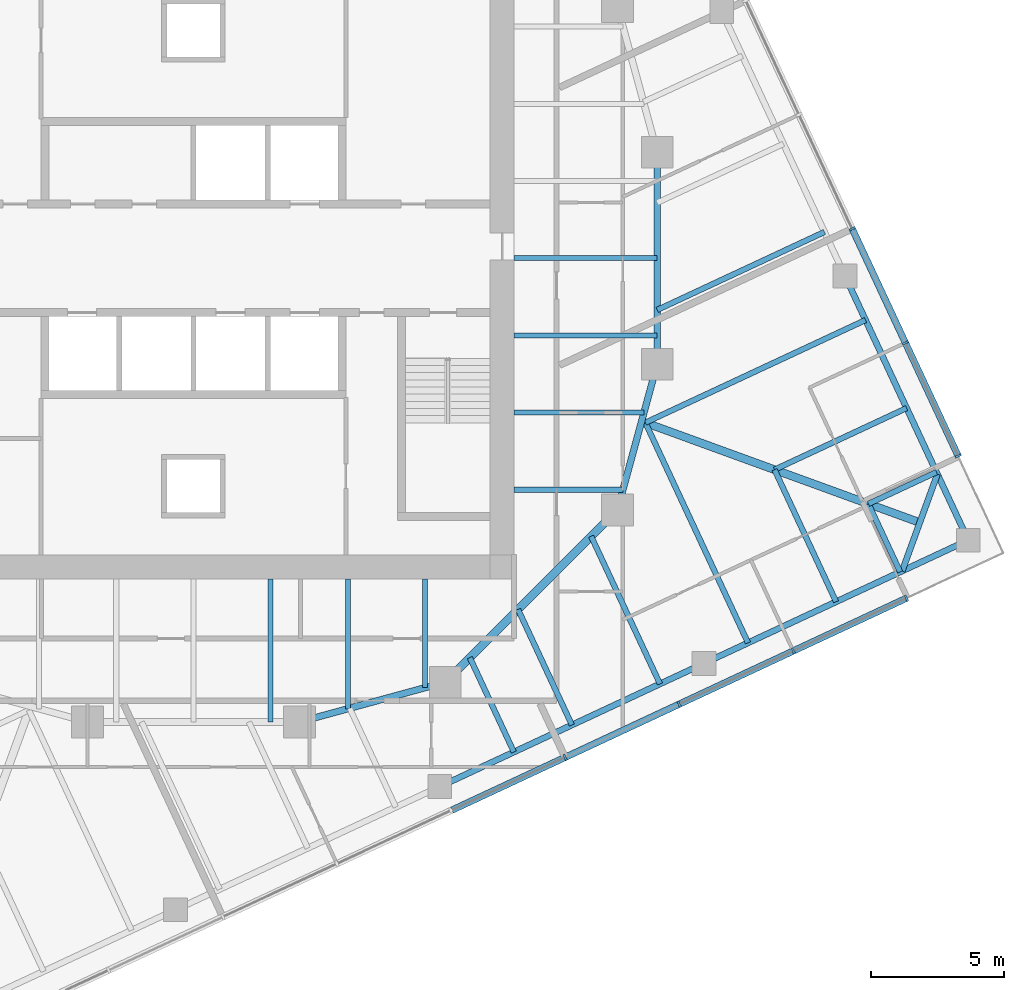
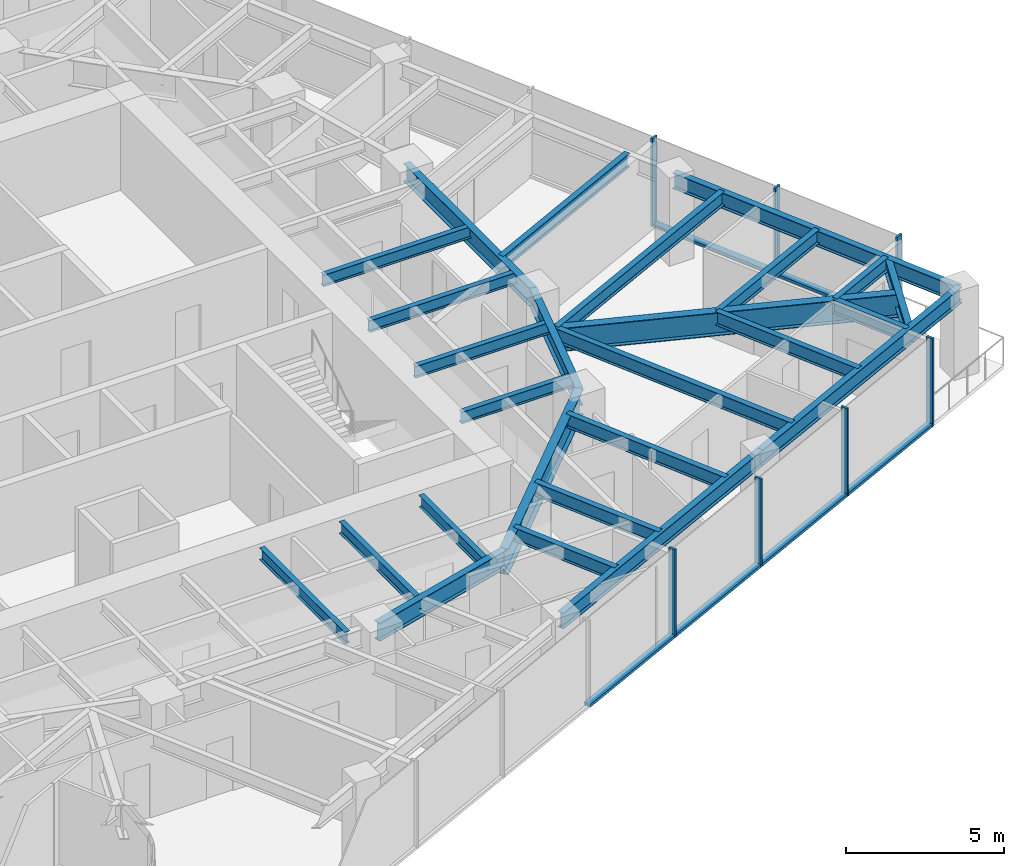
# One storey, part 3 of 12: 26 beams, 13 members, 2 elements without a shape of their own.
"""IFC4 building model written with IfcOpenShell, lengths in metres."""

from ifc_helpers import new_model, si_unit, direction, frame, origin, origin_2d, place, context, subcontext, project, spatial, rectangle, i_section, extrude, material, material_profile, profile_set, type_object, element, aggregate, save


model = new_model("IFC4")

# Units and contexts
model_context = context("Model", 3, precision=1e-05, world=origin(), true_north=direction((0.0, 1.0)))
body_context = subcontext(model_context, "Body", "Model", "MODEL_VIEW")
ifc_project = project(units=[si_unit("LENGTHUNIT", "METRE"), si_unit("AREAUNIT", "SQUARE_METRE"), si_unit("VOLUMEUNIT", "CUBIC_METRE"), si_unit("PLANEANGLEUNIT", "RADIAN"), si_unit("MASSUNIT", "GRAM", prefix="KILO")], contexts=[model_context])

# Site, building, storey
site_placement = place(None, origin())
site = spatial("IfcSite", under=ifc_project, at=site_placement, CompositionType="ELEMENT")
building_placement = place(site_placement, origin())
building = spatial("IfcBuilding", under=site, at=building_placement, Name="Torsade Residences", CompositionType="ELEMENT")
storey_placement = place(building_placement, frame((0.0, 0.0, 186.199951171875)))
storey = spatial("IfcBuildingStorey", under=building, at=storey_placement, Name="L51", CompositionType="ELEMENT", Elevation=186.199951171875)

# Beams
ifc_material_1 = material(Name="Steel grade 300", Category="steel")
ifc_material_profile_1 = material_profile(ifc_material_1, i_section(OverallWidth=0.300048828125, OverallDepth=0.89990234375, WebThickness=0.011962890625, FlangeThickness=0.02490234375, at=origin_2d()), Name="900WB175")
ifc_profile_set_1 = profile_set([ifc_material_profile_1], Name="Steel grade 300")
beam_type_1 = type_object("IfcBeamType", Name="CORNER GIRDER 900WB175", PredefinedType="BEAM", material=ifc_profile_set_1)
beam_1_placement = place(storey_placement, frame((67.4091796875, 20.02392578125, 2.800048828125), z_axis=(-0.93969447651, 0.342015044723, 0.0), x_axis=(-0.342015044723, -0.93969447651, 0.0)))
element("IfcBeam", 1, at=beam_1_placement, inside=storey, type_object=beam_type_1, Name="Corner girder 05 L52", PredefinedType="BEAM", context=body_context, shape_type="SweptSolid", body=[
    extrude(i_section(OverallWidth=0.300048828125, OverallDepth=0.89990234375, WebThickness=0.011962890625, FlangeThickness=0.02490234375, at=origin_2d()), origin(), (0.0, 0.0, 1.0), 11.170654296875),
])
ifc_material_2 = material(Name="Steel grade 300", Category="steel")
ifc_material_profile_2 = material_profile(ifc_material_2, i_section(OverallWidth=0.22802734375, OverallDepth=0.60205078125, WebThickness=0.010498046875, FlangeThickness=0.014892578125, FilletRadius=0.013916015625, at=origin_2d()), Name="610UB101")
ifc_profile_set_2 = profile_set([ifc_material_profile_2], Name="Steel grade 300")
beam_type_2 = type_object("IfcBeamType", Name="CORNER TRIMMER 610UB101", PredefinedType="BEAM", material=ifc_profile_set_2)
beam_2_placement = place(storey_placement, frame((68.07421875, 21.85107421875, 2.948974609375), z_axis=(-0.342005152204, -0.939698076972, 0.0), x_axis=(0.939698076972, -0.342005152204, 0.0)))
element("IfcBeam", 2, at=beam_2_placement, inside=storey, type_object=beam_type_2, Name="Corner trimmer 05 L52", PredefinedType="BEAM", context=body_context, shape_type="SweptSolid", body=[
    extrude(i_section(OverallWidth=0.22802734375, OverallDepth=0.60205078125, WebThickness=0.010498046875, FlangeThickness=0.014892578125, FilletRadius=0.013916015625, at=origin_2d()), origin(), (0.0, 0.0, 1.0), 3.88916015625),
])
ifc_material_3 = material(Name="Steel grade 300", Category="steel")
ifc_material_profile_3 = material_profile(ifc_material_3, i_section(OverallWidth=0.22900390625, OverallDepth=0.612060546875, WebThickness=0.011962890625, FlangeThickness=0.01953125, FilletRadius=0.013916015625, at=origin_2d()), Name="610UB125")
ifc_profile_set_3 = profile_set([ifc_material_profile_3], Name="Steel grade 300")
beam_type_3 = type_object("IfcBeamType", Name="EDGE BEAM 610UB125", PredefinedType="SPANDREL", material=ifc_profile_set_3)
for number, where, z_axis, x_axis, name in (
    (3, (49.297607421875, 10.061279296875, 2.944091796875), (0.906313510001, 0.422605988587, 0.0), (-0.422605988587, 0.906313510001, 0.0), "Edge beam 03 L52"),
    (4, (59.26708984375, 14.7099609375, 2.944091796875), (0.90630104482, 0.422632720171, 0.0), (-0.422632720171, 0.90630104482, 0.0), "Edge beam 04 L52"),
):
    element("IfcBeam", number, at=place(storey_placement, frame(where, z_axis=z_axis, x_axis=x_axis)), inside=storey, type_object=beam_type_3, Name=name, PredefinedType="SPANDREL", context=body_context, shape_type="SweptSolid", body=[
        extrude(i_section(OverallWidth=0.22900390625, OverallDepth=0.612060546875, WebThickness=0.011962890625, FlangeThickness=0.01953125, FilletRadius=0.013916015625, at=origin_2d()), origin(), (0.0, 0.0, 1.0), 11.0),
    ])
beam_3_placement = place(storey_placement, frame((69.236328125, 19.35888671875, 2.944091796875), z_axis=(-0.422614489543, 0.906309546032, 0.0), x_axis=(-0.906309546032, -0.422614489543, 0.0)))
element("IfcBeam", 5, at=beam_3_placement, inside=storey, type_object=beam_type_3, Name="Edge beam 05 L52", PredefinedType="SPANDREL", context=body_context, shape_type="SweptSolid", body=[
    extrude(i_section(OverallWidth=0.22900390625, OverallDepth=0.612060546875, WebThickness=0.011962890625, FlangeThickness=0.01953125, FilletRadius=0.013916015625, at=origin_2d()), origin(), (0.0, 0.0, 1.0), 10.999755859375),
])
ifc_material_4 = material(Name="Steel grade 300", Category="steel")
ifc_material_profile_4 = material_profile(ifc_material_4, i_section(OverallWidth=0.18994140625, OverallDepth=0.4541015625, WebThickness=0.008544921875, FlangeThickness=0.0126953125, FilletRadius=0.011474609375, at=origin_2d()), Name="460UB67.1")
ifc_profile_set_4 = profile_set([ifc_material_profile_4], Name="Steel grade 300")
beam_type_4 = type_object("IfcBeamType", Name="INNER FLOOR BEAM 460UB67.1", PredefinedType="JOIST", material=ifc_profile_set_4)
beam_4_placement = place(storey_placement, frame((48.737548828125, 17.89990234375, 3.02294921875), z_axis=(0.0, -1.0, 0.0), x_axis=(1.0, 0.0, 0.0)))
element("IfcBeam", 6, at=beam_4_placement, inside=storey, type_object=beam_type_4, Name="Inner floor beam IS01 L52", PredefinedType="JOIST", context=body_context, shape_type="SweptSolid", body=[
    extrude(i_section(OverallWidth=0.18994140625, OverallDepth=0.4541015625, WebThickness=0.008544921875, FlangeThickness=0.0126953125, FilletRadius=0.011474609375, at=origin_2d()), origin(), (0.0, 0.0, 1.0), 4.10791015625),
])
beam_5_placement = place(storey_placement, frame((45.824951171875, 17.89990234375, 3.02294921875), z_axis=(0.0, -1.0, 0.0), x_axis=(1.0, 0.0, 0.0)))
element("IfcBeam", 7, at=beam_5_placement, inside=storey, type_object=beam_type_4, Name="Inner floor beam IS02 L52", PredefinedType="JOIST", context=body_context, shape_type="SweptSolid", body=[
    extrude(i_section(OverallWidth=0.18994140625, OverallDepth=0.4541015625, WebThickness=0.008544921875, FlangeThickness=0.0126953125, FilletRadius=0.011474609375, at=origin_2d()), origin(), (0.0, 0.0, 1.0), 4.902099609375),
])
beam_6_placement = place(storey_placement, frame((42.91259765625, 17.89990234375, 3.02294921875), z_axis=(0.0, -1.0, 0.0), x_axis=(1.0, 0.0, 0.0)))
element("IfcBeam", 8, at=beam_6_placement, inside=storey, type_object=beam_type_4, Name="Inner floor beam IS03 L52", PredefinedType="JOIST", context=body_context, shape_type="SweptSolid", body=[
    extrude(i_section(OverallWidth=0.18994140625, OverallDepth=0.4541015625, WebThickness=0.008544921875, FlangeThickness=0.0126953125, FilletRadius=0.011474609375, at=origin_2d()), origin(), (0.0, 0.0, 1.0), 5.39990234375),
])
beam_7_placement = place(storey_placement, frame((52.10009765625, 21.262451171875, 3.02294921875), z_axis=(1.0, 0.0, 0.0), x_axis=(0.0, 1.0, 0.0)))
element("IfcBeam", 9, at=beam_7_placement, inside=storey, type_object=beam_type_4, Name="Inner floor beam IE01 L52", PredefinedType="JOIST", context=body_context, shape_type="SweptSolid", body=[
    extrude(i_section(OverallWidth=0.18994140625, OverallDepth=0.4541015625, WebThickness=0.008544921875, FlangeThickness=0.0126953125, FilletRadius=0.011474609375, at=origin_2d()), origin(), (0.0, 0.0, 1.0), 4.10791015625),
])
beam_8_placement = place(storey_placement, frame((52.10009765625, 24.175048828125, 3.02294921875), z_axis=(1.0, 0.0, 0.0), x_axis=(0.0, 1.0, 0.0)))
element("IfcBeam", 10, at=beam_8_placement, inside=storey, type_object=beam_type_4, Name="Inner floor beam IE02 L52", PredefinedType="JOIST", context=body_context, shape_type="SweptSolid", body=[
    extrude(i_section(OverallWidth=0.18994140625, OverallDepth=0.4541015625, WebThickness=0.008544921875, FlangeThickness=0.0126953125, FilletRadius=0.011474609375, at=origin_2d()), origin(), (0.0, 0.0, 1.0), 4.902099609375),
])
for number, where, z_axis, x_axis, name in (
    (11, (52.10009765625, 27.08740234375, 3.02294921875), (1.0, 0.0, 0.0), (0.0, 1.0, 0.0), "Inner floor beam IE03 L52"),
    (12, (52.10009765625, 30.0, 3.02294921875), (1.0, 0.0, 0.0), (0.0, 1.0, 0.0), "Inner floor beam IE04 L52"),
):
    element("IfcBeam", number, at=place(storey_placement, frame(where, z_axis=z_axis, x_axis=x_axis)), inside=storey, type_object=beam_type_4, Name=name, PredefinedType="JOIST", context=body_context, shape_type="SweptSolid", body=[
        extrude(i_section(OverallWidth=0.18994140625, OverallDepth=0.4541015625, WebThickness=0.008544921875, FlangeThickness=0.0126953125, FilletRadius=0.011474609375, at=origin_2d()), origin(), (0.0, 0.0, 1.0), 5.39990234375),
    ])

# Curtain wall, members
ifc_material_5 = material(Name="Aluminium and glass", Category="aluminium")
curtain_wall_type = type_object("IfcCurtainWallType", Name="FRITTED GLASS CURTAIN WALL MID ZONE", PredefinedType="NOTDEFINED", material=ifc_material_5)
curtain_wall_1_placement = place(storey_placement, origin())
curtain_wall_1 = element("IfcCurtainWall", 13, at=curtain_wall_1_placement, inside=storey, type_object=curtain_wall_type, Name="Curtain wall L51 face 1", PredefinedType="NOTDEFINED")
ifc_material_6 = material(Name="Aluminium mullion", Category="aluminium")
ifc_material_profile_5 = material_profile(ifc_material_6, rectangle(XDim=0.25, YDim=0.080078125, at=origin_2d()), Name="MID ZONE CURTAIN WALL MULLION 250x80")
ifc_profile_set_5 = profile_set([ifc_material_profile_5], Name="Aluminium mullion")
member_type_1 = type_object("IfcMemberType", Name="MID ZONE CURTAIN WALL MULLION 250x80", PredefinedType="MULLION", material=ifc_profile_set_5)
member_1_placement = place(storey_placement, frame((54.025146484375, 11.162353515625, 0.0), z_axis=(0.0, 0.0, 1.0), x_axis=(-0.422618261978, 0.906307786926, 0.0)))
member_1 = element("IfcMember", 14, at=member_1_placement, type_object=member_type_1, Name="Mullion 6", PredefinedType="MULLION", context=body_context, shape_type="SweptSolid", body=[
    extrude(rectangle(XDim=0.25, YDim=0.080078125, at=origin_2d()), origin(), (0.0, 0.0, 1.0), 3.400146484375),
])
member_2_placement = place(storey_placement, frame((58.330078125, 13.169677734375, 0.0), z_axis=(0.0, 0.0, 1.0), x_axis=(-0.422618261978, 0.906307786926, 0.0)))
member_2 = element("IfcMember", 15, at=member_2_placement, type_object=member_type_1, Name="Mullion 7", PredefinedType="MULLION", context=body_context, shape_type="SweptSolid", body=[
    extrude(rectangle(XDim=0.25, YDim=0.080078125, at=origin_2d()), origin(), (0.0, 0.0, 1.0), 3.400146484375),
])
member_3_placement = place(storey_placement, frame((62.635009765625, 15.17724609375, 0.0), z_axis=(0.0, 0.0, 1.0), x_axis=(-0.422618261978, 0.906307786926, 0.0)))
member_3 = element("IfcMember", 16, at=member_3_placement, type_object=member_type_1, Name="Mullion 8", PredefinedType="MULLION", context=body_context, shape_type="SweptSolid", body=[
    extrude(rectangle(XDim=0.25, YDim=0.080078125, at=origin_2d()), origin(), (0.0, 0.0, 1.0), 3.400146484375),
])
member_4_placement = place(storey_placement, frame((66.90380859375, 17.167724609375, 0.0), z_axis=(0.0, 0.0, 1.0), x_axis=(-0.422618261978, 0.906307786926, 0.0)))
member_4 = element("IfcMember", 17, at=member_4_placement, type_object=member_type_1, Name="Mullion 9", PredefinedType="MULLION", context=body_context, shape_type="SweptSolid", body=[
    extrude(rectangle(XDim=0.25, YDim=0.080078125, at=origin_2d()), origin(), (0.0, 0.0, 1.0), 3.400146484375),
])

curtain_wall_2_placement = place(storey_placement, origin())
curtain_wall_2 = element("IfcCurtainWall", 18, at=curtain_wall_2_placement, inside=storey, type_object=curtain_wall_type, Name="Curtain wall L51 face 4", PredefinedType="NOTDEFINED")
member_5_placement = place(storey_placement, frame((68.85791015625, 22.53662109375, 0.0), z_axis=(0.0, 0.0, 1.0), x_axis=(-0.906307786926, -0.422618261978, 0.0)))
member_5 = element("IfcMember", 19, at=member_5_placement, type_object=member_type_1, Name="Mullion 1", PredefinedType="MULLION", context=body_context, shape_type="SweptSolid", body=[
    extrude(rectangle(XDim=0.25, YDim=0.080078125, at=origin_2d()), origin(), (0.0, 0.0, 1.0), 3.400146484375),
])
member_6_placement = place(storey_placement, frame((66.867431640625, 26.805419921875, 0.0), z_axis=(0.0, 0.0, 1.0), x_axis=(-0.906307786926, -0.422618261978, 0.0)))
member_6 = element("IfcMember", 20, at=member_6_placement, type_object=member_type_1, Name="Mullion 2", PredefinedType="MULLION", context=body_context, shape_type="SweptSolid", body=[
    extrude(rectangle(XDim=0.25, YDim=0.080078125, at=origin_2d()), origin(), (0.0, 0.0, 1.0), 3.400146484375),
])
member_7_placement = place(storey_placement, frame((64.85986328125, 31.1103515625, 0.0), z_axis=(0.0, 0.0, 1.0), x_axis=(-0.906307786926, -0.422618261978, 0.0)))
member_7 = element("IfcMember", 21, at=member_7_placement, type_object=member_type_1, Name="Mullion 3", PredefinedType="MULLION", context=body_context, shape_type="SweptSolid", body=[
    extrude(rectangle(XDim=0.25, YDim=0.080078125, at=origin_2d()), origin(), (0.0, 0.0, 1.0), 3.400146484375),
])

# Member
ifc_material_7 = material(Name="Aluminium transom", Category="aluminium")
ifc_material_profile_6 = material_profile(ifc_material_7, rectangle(XDim=0.25, YDim=0.110107421875, at=origin_2d()), Name="MID ZONE CURTAIN WALL TRANSOM 250x110")
ifc_profile_set_6 = profile_set([ifc_material_profile_6], Name="Aluminium transom")
member_type_2 = type_object("IfcMemberType", Name="MID ZONE CURTAIN WALL TRANSOM 250x110", PredefinedType="USERDEFINED", material=ifc_profile_set_6)
member_8_placement = place(storey_placement, frame((49.756591796875, 9.171875, 0.054931640625), z_axis=(0.906305976097, 0.422622145291, 0.0), x_axis=(-0.422622145291, 0.906305976097, 0.0)))
member_8 = element("IfcMember", 22, at=member_8_placement, type_object=member_type_2, Name="Transom 5.1", ObjectType="TRANSOM", PredefinedType="USERDEFINED", context=body_context, shape_type="SweptSolid", body=[
    extrude(rectangle(XDim=0.25, YDim=0.110107421875, at=origin_2d()), origin(), (0.0, 0.0, 1.0), 4.669921875),
])

member_9_placement = place(storey_placement, frame((54.0615234375, 11.17919921875, 0.054931640625), z_axis=(0.906305976097, 0.422622145291, 0.0), x_axis=(-0.422622145291, 0.906305976097, 0.0)))
member_9 = element("IfcMember", 23, at=member_9_placement, type_object=member_type_2, Name="Transom 6.1", ObjectType="TRANSOM", PredefinedType="USERDEFINED", context=body_context, shape_type="SweptSolid", body=[
    extrude(rectangle(XDim=0.25, YDim=0.110107421875, at=origin_2d()), origin(), (0.0, 0.0, 1.0), 4.669921875),
])

member_10_placement = place(storey_placement, frame((58.366455078125, 13.186767578125, 0.054931640625), z_axis=(0.906305976097, 0.422622145291, 0.0), x_axis=(-0.422622145291, 0.906305976097, 0.0)))
member_10 = element("IfcMember", 24, at=member_10_placement, type_object=member_type_2, Name="Transom 7.1", ObjectType="TRANSOM", PredefinedType="USERDEFINED", context=body_context, shape_type="SweptSolid", body=[
    extrude(rectangle(XDim=0.25, YDim=0.110107421875, at=origin_2d()), origin(), (0.0, 0.0, 1.0), 4.669921875),
])

member_11_placement = place(storey_placement, frame((62.67138671875, 15.194091796875, 0.054931640625), z_axis=(0.906305687176, 0.422622764878, 0.0), x_axis=(-0.422622764878, 0.906305687176, 0.0)))
member_11 = element("IfcMember", 25, at=member_11_placement, type_object=member_type_2, Name="Transom 8.1", ObjectType="TRANSOM", PredefinedType="USERDEFINED", context=body_context, shape_type="SweptSolid", body=[
    extrude(rectangle(XDim=0.25, YDim=0.110107421875, at=origin_2d()), origin(), (0.0, 0.0, 1.0), 4.630126953125),
])

aggregate(curtain_wall_1, [member_1, member_2, member_3, member_4, member_8, member_9, member_10, member_11])

member_12_placement = place(storey_placement, frame((68.841064453125, 22.572998046875, 0.054931640625), z_axis=(-0.422642962277, 0.906296268578, 0.0), x_axis=(-0.906296268578, -0.422642962277, 0.0)))
member_12 = element("IfcMember", 26, at=member_12_placement, type_object=member_type_2, Name="Transom 1.1", ObjectType="TRANSOM", PredefinedType="USERDEFINED", context=body_context, shape_type="SweptSolid", body=[
    extrude(rectangle(XDim=0.25, YDim=0.110107421875, at=origin_2d()), origin(), (0.0, 0.0, 1.0), 4.6298828125),
])

member_13_placement = place(storey_placement, frame((66.8505859375, 26.841552734375, 0.054931640625), z_axis=(-0.422622145291, 0.906305976097, 0.0), x_axis=(-0.906305976097, -0.422622145291, 0.0)))
member_13 = element("IfcMember", 27, at=member_13_placement, type_object=member_type_2, Name="Transom 2.1", ObjectType="TRANSOM", PredefinedType="USERDEFINED", context=body_context, shape_type="SweptSolid", body=[
    extrude(rectangle(XDim=0.25, YDim=0.110107421875, at=origin_2d()), origin(), (0.0, 0.0, 1.0), 4.669921875),
])

aggregate(curtain_wall_2, [member_5, member_6, member_7, member_12, member_13])

# Beams
ifc_material_8 = material(Name="Steel grade 300", Category="steel")
ifc_material_profile_7 = material_profile(ifc_material_8, i_section(OverallWidth=0.300048828125, OverallDepth=1.0, WebThickness=0.01611328125, FlangeThickness=0.028076171875, at=origin_2d()), Name="1000WB215")
ifc_profile_set_7 = profile_set([ifc_material_profile_7], Name="Steel grade 300")
beam_type_5 = type_object("IfcBeamType", Name="RING CORNER GIRDER 1000WB215", PredefinedType="BEAM", material=ifc_profile_set_7)
beam_9_placement = place(storey_placement, frame((49.5, 14.0, 2.75), z_axis=(0.707106781187, 0.707106781187, 0.0), x_axis=(-0.707106781187, 0.707106781187, 0.0)))
element("IfcBeam", 28, at=beam_9_placement, inside=storey, type_object=beam_type_5, Name="Ring girder IR15 L52", PredefinedType="BEAM", context=body_context, shape_type="SweptSolid", body=[
    extrude(i_section(OverallWidth=0.300048828125, OverallDepth=1.0, WebThickness=0.01611328125, FlangeThickness=0.028076171875, at=origin_2d()), origin(), (0.0, 0.0, 1.0), 9.1923828125),
])
ifc_material_9 = material(Name="Steel grade 300", Category="steel")
ifc_material_profile_8 = material_profile(ifc_material_9, i_section(OverallWidth=0.25, OverallDepth=0.699951171875, WebThickness=0.010009765625, FlangeThickness=0.02001953125, at=origin_2d()), Name="700WB130")
ifc_profile_set_8 = profile_set([ifc_material_profile_8], Name="Steel grade 300")
beam_type_6 = type_object("IfcBeamType", Name="RING GIRDER 700WB130", PredefinedType="BEAM", material=ifc_profile_set_8)
beam_10_placement = place(storey_placement, frame((57.5, 26.0, 2.900146484375), z_axis=(0.0, 1.0, 0.0), x_axis=(-1.0, 0.0, 0.0)))
element("IfcBeam", 29, at=beam_10_placement, inside=storey, type_object=beam_type_6, Name="Ring girder IR01 L52", PredefinedType="BEAM", context=body_context, shape_type="SweptSolid", body=[
    extrude(i_section(OverallWidth=0.25, OverallDepth=0.699951171875, WebThickness=0.010009765625, FlangeThickness=0.02001953125, at=origin_2d()), origin(), (0.0, 0.0, 1.0), 8.0),
])
for number, where, z_axis, x_axis, name in (
    (30, (44.0, 12.5, 2.900146484375), (0.964763821238, 0.263117405792, 0.0), (-0.263117405792, 0.964763821238, 0.0), "Ring girder IR14 L52"),
    (31, (56.0, 20.5, 2.900146484375), (0.263117405792, 0.964763821238, 0.0), (-0.964763821238, 0.263117405792, 0.0), "Ring girder IR16 L52"),
):
    element("IfcBeam", number, at=place(storey_placement, frame(where, z_axis=z_axis, x_axis=x_axis)), inside=storey, type_object=beam_type_6, Name=name, PredefinedType="BEAM", context=body_context, shape_type="SweptSolid", body=[
        extrude(i_section(OverallWidth=0.25, OverallDepth=0.699951171875, WebThickness=0.010009765625, FlangeThickness=0.02001953125, at=origin_2d()), origin(), (0.0, 0.0, 1.0), 5.700927734375),
    ])
ifc_material_10 = material(Name="Steel grade 300", Category="steel")
ifc_material_profile_9 = material_profile(ifc_material_10, i_section(OverallWidth=0.208984375, OverallDepth=0.528076171875, WebThickness=0.009521484375, FlangeThickness=0.01318359375, FilletRadius=0.013916015625, at=origin_2d()), Name="530UB82.0")
ifc_profile_set_9 = profile_set([ifc_material_profile_9], Name="Steel grade 300")
beam_type_7 = type_object("IfcBeamType", Name="SECONDARY BEAM 530UB82.0", PredefinedType="JOIST", material=ifc_profile_set_9)
beam_11_placement = place(storey_placement, frame((52.092041015625, 11.3642578125, 2.986083984375), z_axis=(-0.422644222818, 0.906295680735, 0.0), x_axis=(-0.906295680735, -0.422644222818, 0.0)))
element("IfcBeam", 32, at=beam_11_placement, inside=storey, type_object=beam_type_7, Name="Floor beam FS07 L52", PredefinedType="JOIST", context=body_context, shape_type="SweptSolid", body=[
    extrude(i_section(OverallWidth=0.208984375, OverallDepth=0.528076171875, WebThickness=0.009521484375, FlangeThickness=0.01318359375, FilletRadius=0.013916015625, at=origin_2d()), origin(), (0.0, 0.0, 1.0), 3.933837890625),
])
beam_12_placement = place(storey_placement, frame((54.2822265625, 12.3857421875, 2.986083984375), z_axis=(-0.422618876857, 0.906307500203, 0.0), x_axis=(-0.906307500203, -0.422618876857, 0.0)))
element("IfcBeam", 33, at=beam_12_placement, inside=storey, type_object=beam_type_7, Name="Floor beam FS08 L52", PredefinedType="JOIST", context=body_context, shape_type="SweptSolid", body=[
    extrude(i_section(OverallWidth=0.208984375, OverallDepth=0.528076171875, WebThickness=0.009521484375, FlangeThickness=0.01318359375, FilletRadius=0.013916015625, at=origin_2d()), origin(), (0.0, 0.0, 1.0), 4.813232421875),
])
beam_13_placement = place(storey_placement, frame((57.60546875, 13.935302734375, 2.986083984375), z_axis=(-0.42264848683, 0.906293692233, 0.0), x_axis=(-0.906293692233, -0.42264848683, 0.0)))
element("IfcBeam", 34, at=beam_13_placement, inside=storey, type_object=beam_type_7, Name="Floor beam FS09 L52", PredefinedType="JOIST", context=body_context, shape_type="SweptSolid", body=[
    extrude(i_section(OverallWidth=0.208984375, OverallDepth=0.528076171875, WebThickness=0.009521484375, FlangeThickness=0.01318359375, FilletRadius=0.013916015625, at=origin_2d()), origin(), (0.0, 0.0, 1.0), 6.14794921875),
])
beam_14_placement = place(storey_placement, frame((60.928466796875, 15.48486328125, 2.986083984375), z_axis=(-0.422618627092, 0.90630761667, 0.0), x_axis=(-0.90630761667, -0.422618627092, 0.0)))
element("IfcBeam", 35, at=beam_14_placement, inside=storey, type_object=beam_type_7, Name="Floor beam FS10 L52", PredefinedType="JOIST", context=body_context, shape_type="SweptSolid", body=[
    extrude(i_section(OverallWidth=0.208984375, OverallDepth=0.528076171875, WebThickness=0.009521484375, FlangeThickness=0.01318359375, FilletRadius=0.013916015625, at=origin_2d()), origin(), (0.0, 0.0, 1.0), 9.166748046875),
])
beam_15_placement = place(storey_placement, frame((64.251708984375, 17.034423828125, 2.986083984375), z_axis=(-0.422632720171, 0.90630104482, 0.0), x_axis=(-0.90630104482, -0.422632720171, 0.0)))
element("IfcBeam", 36, at=beam_15_placement, inside=storey, type_object=beam_type_7, Name="Floor beam FS11 L52", PredefinedType="JOIST", context=body_context, shape_type="SweptSolid", body=[
    extrude(i_section(OverallWidth=0.208984375, OverallDepth=0.528076171875, WebThickness=0.009521484375, FlangeThickness=0.01318359375, FilletRadius=0.013916015625, at=origin_2d()), origin(), (0.0, 0.0, 1.0), 5.5),
])
for number, where, z_axis, x_axis, name in (
    (37, (66.66845703125, 18.161376953125, 2.986083984375), (-0.42257409885, 0.906328379221, 0.0), (-0.906328379221, -0.42257409885, 0.0), "Floor beam FS12 L52"),
    (38, (68.0390625, 21.9267578125, 2.986083984375), (-0.906295375613, -0.422644877104, 0.0), (0.422644877104, -0.906295375613, 0.0), "Floor beam FE01 L52"),
):
    element("IfcBeam", number, at=place(storey_placement, frame(where, z_axis=z_axis, x_axis=x_axis)), inside=storey, type_object=beam_type_7, Name=name, PredefinedType="JOIST", context=body_context, shape_type="SweptSolid", body=[
        extrude(i_section(OverallWidth=0.208984375, OverallDepth=0.528076171875, WebThickness=0.009521484375, FlangeThickness=0.01318359375, FilletRadius=0.013916015625, at=origin_2d()), origin(), (0.0, 0.0, 1.0), 2.833251953125),
    ])
beam_16_placement = place(storey_placement, frame((66.911865234375, 24.343505859375, 2.986083984375), z_axis=(-0.90630104482, -0.422632720171, 0.0), x_axis=(0.422632720171, -0.90630104482, 0.0)))
element("IfcBeam", 39, at=beam_16_placement, inside=storey, type_object=beam_type_7, Name="Floor beam FE02 L52", PredefinedType="JOIST", context=body_context, shape_type="SweptSolid", body=[
    extrude(i_section(OverallWidth=0.208984375, OverallDepth=0.528076171875, WebThickness=0.009521484375, FlangeThickness=0.01318359375, FilletRadius=0.013916015625, at=origin_2d()), origin(), (0.0, 0.0, 1.0), 5.5),
])
beam_17_placement = place(storey_placement, frame((65.3623046875, 27.666748046875, 2.986083984375), z_axis=(-0.90630761667, -0.422618627092, 0.0), x_axis=(0.422618627092, -0.90630761667, 0.0)))
element("IfcBeam", 40, at=beam_17_placement, inside=storey, type_object=beam_type_7, Name="Floor beam FE03 L52", PredefinedType="JOIST", context=body_context, shape_type="SweptSolid", body=[
    extrude(i_section(OverallWidth=0.208984375, OverallDepth=0.528076171875, WebThickness=0.009521484375, FlangeThickness=0.01318359375, FilletRadius=0.013916015625, at=origin_2d()), origin(), (0.0, 0.0, 1.0), 9.166748046875),
])
beam_18_placement = place(storey_placement, frame((63.812744140625, 30.98974609375, 2.986083984375), z_axis=(-0.906312044376, -0.422609131726, 0.0), x_axis=(0.422609131726, -0.906312044376, 0.0)))
element("IfcBeam", 41, at=beam_18_placement, inside=storey, type_object=beam_type_7, Name="Floor beam FE04 L52", PredefinedType="JOIST", context=body_context, shape_type="SweptSolid", body=[
    extrude(i_section(OverallWidth=0.208984375, OverallDepth=0.528076171875, WebThickness=0.009521484375, FlangeThickness=0.01318359375, FilletRadius=0.013916015625, at=origin_2d()), origin(), (0.0, 0.0, 1.0), 6.96533203125),
])

save(model, "model.ifc")
